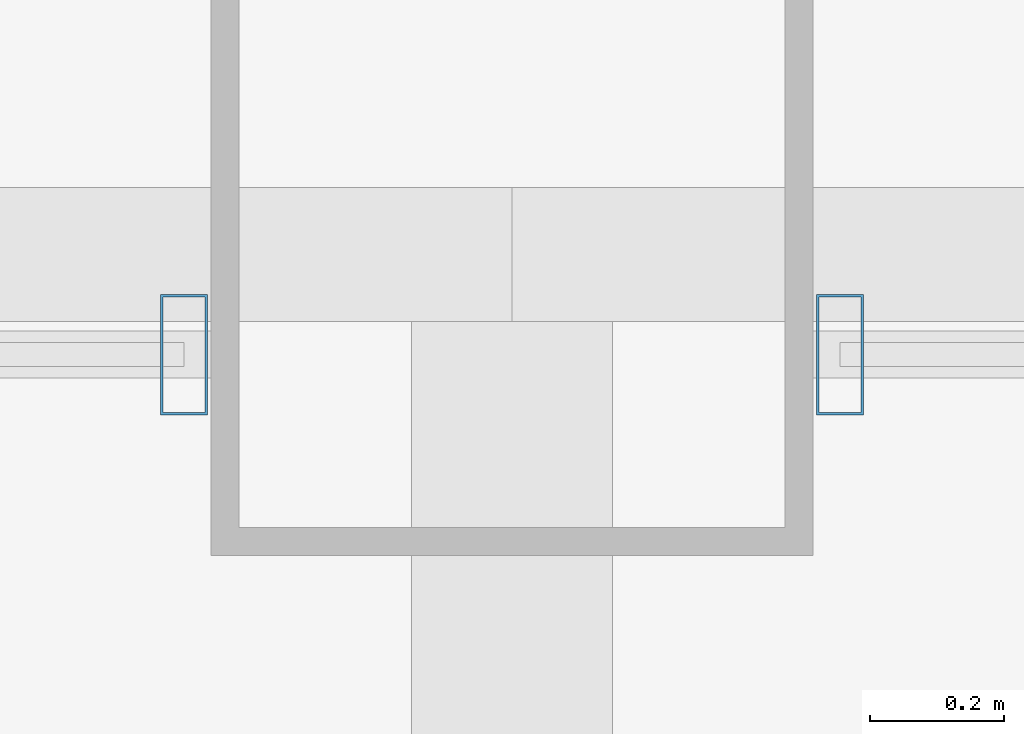
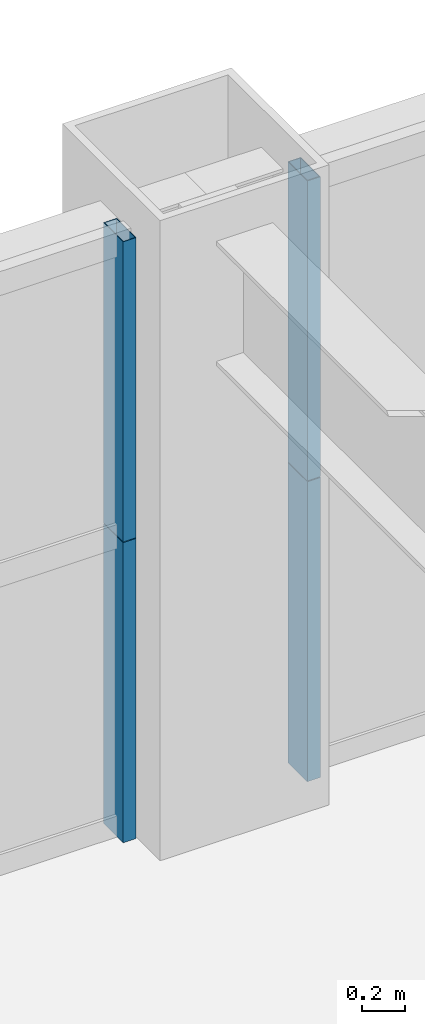
# One storey, part 26 of 38: 4 members, 2 elements without a shape of their own.
"""IFC4 building model written with IfcOpenShell, lengths in metres."""

import ifcopenshell
import ifcopenshell.guid

model = None  # the IFC model being written
_history = None  # IfcOwnerHistory: only IFC2X3 demands one
_inside = {}  # id of a spatial element -> (the spatial element, [elements in it])
_under = {}  # id of a project, library or spatial element -> (it, [spatial elements below it])
_declared = {}  # id of a project -> (the project, [libraries it declares])
_typed = {}  # id of a type object -> (the type object, [elements of that type])
_made_of = {}  # id of a material, layer set ... -> (it, [elements and type objects made of it])


def new_model(schema):
    """Start an empty IFC model of exactly this schema.

    Asked for "IFC4X3", IfcOpenShell would pick the latest addendum, in which some entities
    have other attributes; the version numbers below select the first issue.
    IFC2X3 requires an IfcOwnerHistory on every rooted entity: one is made here for all.
    """
    global model, _history
    if schema == "IFC4X3":
        model = ifcopenshell.file(schema_version=(4, 3, 0, 0))
    else:
        model = ifcopenshell.file(schema=schema)
    _inside.clear()
    _under.clear()
    _declared.clear()
    _typed.clear()
    _made_of.clear()
    _history = None
    if model.schema == "IFC2X3":
        org = make("IfcOrganization", Name="unknown")
        user = make(
            "IfcPersonAndOrganization",
            ThePerson=make("IfcPerson", FamilyName="unknown"),
            TheOrganization=org,
        )
        app = make(
            "IfcApplication",
            ApplicationDeveloper=org,
            Version="unknown",
            ApplicationFullName="unknown",
            ApplicationIdentifier="unknown",
        )
        _history = make(
            "IfcOwnerHistory",
            OwningUser=user,
            OwningApplication=app,
            ChangeAction="ADDED",
            CreationDate=0,
        )
    return model


def make(cls, **values):
    """One entity of the class cls with the attributes given. An attribute that is None is left unset."""
    return model.create_entity(
        cls, **{name: value for name, value in values.items() if value is not None}
    )


def rooted(cls, **values):
    """An entity with a GlobalId (a new one), such as an element, a storey or a relation."""
    return make(cls, GlobalId=ifcopenshell.guid.new(), OwnerHistory=_history, **values)


def si_unit(unit_type, name, prefix=None):
    """IfcSIUnit, for example si_unit("LENGTHUNIT", "METRE", prefix="MILLI")."""
    return make("IfcSIUnit", UnitType=unit_type, Prefix=prefix, Name=name)


def assignment(units):
    """IfcUnitAssignment: the units of a project."""
    return None if units is None else make("IfcUnitAssignment", Units=units)


def point(xyz):
    """IfcCartesianPoint."""
    return None if xyz is None else make("IfcCartesianPoint", Coordinates=xyz)


def direction(xyz):
    """IfcDirection."""
    return None if xyz is None else make("IfcDirection", DirectionRatios=xyz)


def frame(location, z_axis=None, x_axis=None):
    """IfcAxis2Placement3D, a coordinate frame: its origin and axes. An axis left out is left unset."""
    return make(
        "IfcAxis2Placement3D",
        Location=point(location),
        Axis=direction(z_axis),
        RefDirection=direction(x_axis),
    )


def frame_2d(location, x_axis=None):
    """IfcAxis2Placement2D, a coordinate frame in the plane: its origin and x axis."""
    return make(
        "IfcAxis2Placement2D", Location=point(location), RefDirection=direction(x_axis)
    )


def origin():
    """The frame at (0, 0, 0) with its axes left unset."""
    return frame((0.0, 0.0, 0.0))


def origin_2d():
    """The frame at (0, 0) in the plane with its x axis left unset."""
    return frame_2d((0.0, 0.0))


def place(relative_to, where):
    """IfcLocalPlacement: puts the frame where relative to a parent placement (None: the world)."""
    return make(
        "IfcLocalPlacement", PlacementRelTo=relative_to, RelativePlacement=where
    )


def context(
    kind, dimensions, precision=None, world=None, true_north=None, identifier=None
):
    """IfcGeometricRepresentationContext, for example the 3D "Model" context."""
    return make(
        "IfcGeometricRepresentationContext",
        ContextIdentifier=identifier,
        ContextType=kind,
        CoordinateSpaceDimension=dimensions,
        Precision=precision,
        WorldCoordinateSystem=world,
        TrueNorth=true_north,
    )


def subcontext(parent, identifier, kind, view, scale=None):
    """IfcGeometricRepresentationSubContext, for example "Body" below "Model"."""
    return make(
        "IfcGeometricRepresentationSubContext",
        ContextIdentifier=identifier,
        ContextType=kind,
        ParentContext=parent,
        TargetScale=scale,
        TargetView=view,
    )


def project(units=None, contexts=None):
    """IfcProject with its units and contexts."""
    return rooted(
        "IfcProject",
        Name="project",
        RepresentationContexts=contexts,
        UnitsInContext=assignment(units),
    )


def spatial(cls, under=None, at=None, **own):
    """A site, building, storey or space (cls), placed at a placement, below another one or the project."""
    s = rooted(cls, ObjectPlacement=at, **own)
    if under is not None:
        _under.setdefault(under.id(), (under, []))[1].append(s)
    return s


def profile(cls, at=None, kind="AREA", **sizes):
    """A parametric profile (cls). Its sizes go by their IFC names, for example OverallWidth=200.0."""
    return make(cls, ProfileType=kind, Position=at, **sizes)


def hollow_rectangle(**sizes):
    """IfcRectangleHollowProfileDef."""
    return profile("IfcRectangleHollowProfileDef", **sizes)


def extrude(swept, where, along, depth):
    """IfcExtrudedAreaSolid: the profile swept, set in the frame where, extruded along a direction by depth."""
    return make(
        "IfcExtrudedAreaSolid",
        SweptArea=swept,
        Position=where,
        ExtrudedDirection=direction(along),
        Depth=depth,
    )


def shape(context_of_items, identifier, shape_type, items):
    """IfcShapeRepresentation: the items that make up one representation, for example the "Body"."""
    return make(
        "IfcShapeRepresentation",
        ContextOfItems=context_of_items,
        RepresentationIdentifier=identifier,
        RepresentationType=shape_type,
        Items=items,
    )


def source(mapping_origin, context_of_items, identifier, shape_type, items):
    """IfcRepresentationMap: a shape defined once, which mapped items show again and again."""
    return make(
        "IfcRepresentationMap",
        MappingOrigin=mapping_origin,
        MappedRepresentation=shape(context_of_items, identifier, shape_type, items),
    )


def transform(
    local_origin,
    x_axis=None,
    y_axis=None,
    z_axis=None,
    scale=None,
    scale2=None,
    scale3=None,
    uniform=True,
):
    """IfcCartesianTransformationOperator3D, or its non-uniform kind. x_axis, y_axis, z_axis: its Axis1, 2, 3."""
    if uniform:
        return make(
            "IfcCartesianTransformationOperator3D",
            Axis1=direction(x_axis),
            Axis2=direction(y_axis),
            LocalOrigin=point(local_origin),
            Scale=scale,
            Axis3=direction(z_axis),
        )
    return make(
        "IfcCartesianTransformationOperator3DnonUniform",
        Axis1=direction(x_axis),
        Axis2=direction(y_axis),
        LocalOrigin=point(local_origin),
        Scale=scale,
        Axis3=direction(z_axis),
        Scale2=scale2,
        Scale3=scale3,
    )


def mapped(mapping_source, mapping_target):
    """IfcMappedItem: shows the shape of a source again, moved by a transform."""
    return make(
        "IfcMappedItem", MappingSource=mapping_source, MappingTarget=mapping_target
    )


def material(Name=None, Category=None):
    """IfcMaterial."""
    return make("IfcMaterial", Name=Name, Category=Category)


def layer(
    of_material, thickness, ventilated=None, Name=None, Category=None, Priority=None
):
    """IfcMaterialLayer: one layer of a wall or slab, of a material (None: an air gap)."""
    return make(
        "IfcMaterialLayer",
        Material=of_material,
        LayerThickness=thickness,
        IsVentilated=ventilated,
        Name=Name,
        Category=Category,
        Priority=Priority,
    )


def layer_set(layers, Name=None):
    """IfcMaterialLayerSet."""
    return make("IfcMaterialLayerSet", MaterialLayers=layers, LayerSetName=Name)


def material_profile(
    of_material, cross_section, Name=None, Category=None, Priority=None
):
    """IfcMaterialProfile: a cross section and its material."""
    return make(
        "IfcMaterialProfile",
        Name=Name,
        Material=of_material,
        Profile=cross_section,
        Priority=Priority,
        Category=Category,
    )


def profile_set(profiles, Name=None, composite=None):
    """IfcMaterialProfileSet."""
    return make(
        "IfcMaterialProfileSet",
        Name=Name,
        MaterialProfiles=profiles,
        CompositeProfile=composite,
    )


def made_of(thing, what):
    """Note that an element or type object is made of a material, layer set ...; save() writes the relation."""
    if what is not None:
        _made_of.setdefault(what.id(), (what, []))[1].append(thing)
    return thing


def type_object(cls, material=None, **own):
    """A type object (cls), such as IfcWallType, which elements share."""
    return made_of(rooted(cls, **own), material)


def element(
    cls,
    number,
    at=None,
    inside=None,
    cuts=None,
    type_object=None,
    material=None,
    context=None,
    identifier="Body",
    shape_type=None,
    held_by="IfcProductDefinitionShape",
    body=None,
    shapes=None,
    **own,
):
    """One element of the class cls, such as IfcWall. Its Tag is "e" and its number.

    at: its placement. inside: the storey or other place that contains it. cuts: it is an
    opening in that element (IfcRelVoidsElement). A single representation is given by context,
    identifier, shape_type and body (its items); several are given by shapes. held_by: the class
    of the entity that holds the representations. save() writes the other relations.
    """
    e = rooted(cls, Tag="e%d" % number, ObjectPlacement=at, **own)
    if body is not None:
        shapes = [shape(context, identifier, shape_type, body)]
    if shapes is not None:
        e.Representation = make(held_by, Representations=shapes)
    if inside is not None:
        _inside.setdefault(inside.id(), (inside, []))[1].append(e)
    if cuts is not None:
        rooted(
            "IfcRelVoidsElement", RelatingBuildingElement=cuts, RelatedOpeningElement=e
        )
    if type_object is not None:
        _typed.setdefault(type_object.id(), (type_object, []))[1].append(e)
    return made_of(e, material)


def aggregate(whole, parts):
    """IfcRelAggregates: a whole, such as a stair, and the parts it consists of."""
    return rooted("IfcRelAggregates", RelatingObject=whole, RelatedObjects=parts)


def save(model, path):
    """Write the relations noted so far, then the file.

    IfcRelAggregates (storeys below a building ...), IfcRelContainedInSpatialStructure (elements
    in a storey), IfcRelDefinesByType, IfcRelAssociatesMaterial and IfcRelDeclares: one each for
    every whole, place, type object, material and project.
    """
    for whole, parts in _under.values():
        aggregate(whole, parts)
    for where, things in _inside.values():
        rooted(
            "IfcRelContainedInSpatialStructure",
            RelatedElements=things,
            RelatingStructure=where,
        )
    for kind, things in _typed.values():
        rooted("IfcRelDefinesByType", RelatedObjects=things, RelatingType=kind)
    for what, things in _made_of.values():
        rooted("IfcRelAssociatesMaterial", RelatedObjects=things, RelatingMaterial=what)
    for by, libraries in _declared.values():
        rooted("IfcRelDeclares", RelatingContext=by, RelatedDefinitions=libraries)
    model.write(path)


model = new_model("IFC4")

# Units and contexts
model_context = context("Model", 3, precision=1e-05, world=origin(), true_north=direction((0.0, 1.0)))
body_context = subcontext(model_context, "Body", "Model", "MODEL_VIEW")
ifc_project = project(units=[si_unit("LENGTHUNIT", "METRE"), si_unit("AREAUNIT", "SQUARE_METRE"), si_unit("VOLUMEUNIT", "CUBIC_METRE"), si_unit("PLANEANGLEUNIT", "RADIAN"), si_unit("MASSUNIT", "GRAM", prefix="KILO"), si_unit("THERMODYNAMICTEMPERATUREUNIT", "KELVIN"), si_unit("POWERUNIT", "WATT")], contexts=[model_context])

# Site, building, storey
site_placement = place(None, origin())
site = spatial("IfcSite", under=ifc_project, at=site_placement, CompositionType="ELEMENT")
building_placement = place(site_placement, origin())
building = spatial("IfcBuilding", under=site, at=building_placement, Name="Yuzanri Waterfront Tower", CompositionType="ELEMENT")
storey_placement = place(building_placement, frame((0.0, 0.0, 90.199951171875)))
storey = spatial("IfcBuildingStorey", under=building, at=storey_placement, Name="L23", CompositionType="ELEMENT", Elevation=90.199951171875)

# Curtain wall, members
ifc_material_1 = material(Name="Anodized Architectural Bronze", Category="metal")
ifc_layer = layer(ifc_material_1, 0.159912109375)
ifc_layer_set = layer_set([ifc_layer], Name="Anodized Architectural Bronze")
curtain_wall_type = type_object("IfcCurtainWallType", Name="Anodized Bronze Hotel Upper-Tier Solar-Control Unitized Curtain Wall 7800", PredefinedType="NOTDEFINED", material=ifc_layer_set)
curtain_wall_1_placement = place(storey_placement, origin())
curtain_wall_1 = element("IfcCurtainWall", 1, at=curtain_wall_1_placement, inside=storey, type_object=curtain_wall_type, Name="L23 Curtain Wall CW-L23-NL", PredefinedType="NOTDEFINED")
ifc_material_2 = material(Name="Anodized Architectural Bronze", Category="metal")
ifc_material_profile = material_profile(ifc_material_2, hollow_rectangle(XDim=0.070068359375, YDim=0.179931640625, WallThickness=0.00390625, at=origin_2d()), Name="CWM 70x180")
ifc_profile_set = profile_set([ifc_material_profile], Name="Anodized Architectural Bronze")
member_type = type_object("IfcMemberType", Name="Anodized Bronze Standard Curtain-Wall Mullion 70x180", PredefinedType="MULLION", material=ifc_profile_set)
shared_shape = source(origin(), body_context, "Body", "SweptSolid", [
    extrude(hollow_rectangle(XDim=0.070068359375, YDim=0.179931640625, WallThickness=0.00390625, at=origin_2d()), origin(), (0.0, 0.0, 1.0), 1.68798828125),
])
member_1_placement = place(storey_placement, frame((36.510009765625, 49.25, 0.0), z_axis=(0.0, 0.0, 1.0), x_axis=(1.0, 0.0, 0.0)))
member_1 = element("IfcMember", 2, at=member_1_placement, type_object=member_type, Name="CW-L23-NL Lower Mullion 02", PredefinedType="MULLION", context=body_context, shape_type="MappedRepresentation", body=[
    mapped(shared_shape, transform((0.0, 0.0, 0.0), scale=1.0)),
])
member_2_placement = place(storey_placement, frame((36.510009765625, 49.25, 1.692138671875), z_axis=(0.0, 0.0, 1.0), x_axis=(1.0, 0.0, 0.0)))
member_2 = element("IfcMember", 3, at=member_2_placement, type_object=member_type, Name="CW-L23-NL Upper Mullion 02", PredefinedType="MULLION", context=body_context, shape_type="MappedRepresentation", body=[
    mapped(shared_shape, transform((0.0, 0.0, 0.0), scale=1.0)),
])
aggregate(curtain_wall_1, [member_1, member_2])

curtain_wall_2_placement = place(storey_placement, origin())
curtain_wall_2 = element("IfcCurtainWall", 4, at=curtain_wall_2_placement, inside=storey, type_object=curtain_wall_type, Name="L23 Curtain Wall CW-L23-NR", PredefinedType="NOTDEFINED")
member_3_placement = place(storey_placement, frame((37.489990234375, 49.25, 0.0), z_axis=(0.0, 0.0, 1.0), x_axis=(1.0, 0.0, 0.0)))
member_3 = element("IfcMember", 5, at=member_3_placement, type_object=member_type, Name="CW-L23-NR Lower Mullion 00", PredefinedType="MULLION", context=body_context, shape_type="MappedRepresentation", body=[
    mapped(shared_shape, transform((0.0, 0.0, 0.0), scale=1.0)),
])
member_4_placement = place(storey_placement, frame((37.489990234375, 49.25, 1.692138671875), z_axis=(0.0, 0.0, 1.0), x_axis=(1.0, 0.0, 0.0)))
member_4 = element("IfcMember", 6, at=member_4_placement, type_object=member_type, Name="CW-L23-NR Upper Mullion 00", PredefinedType="MULLION", context=body_context, shape_type="MappedRepresentation", body=[
    mapped(shared_shape, transform((0.0, 0.0, 0.0), scale=1.0)),
])
aggregate(curtain_wall_2, [member_3, member_4])

save(model, "model.ifc")
